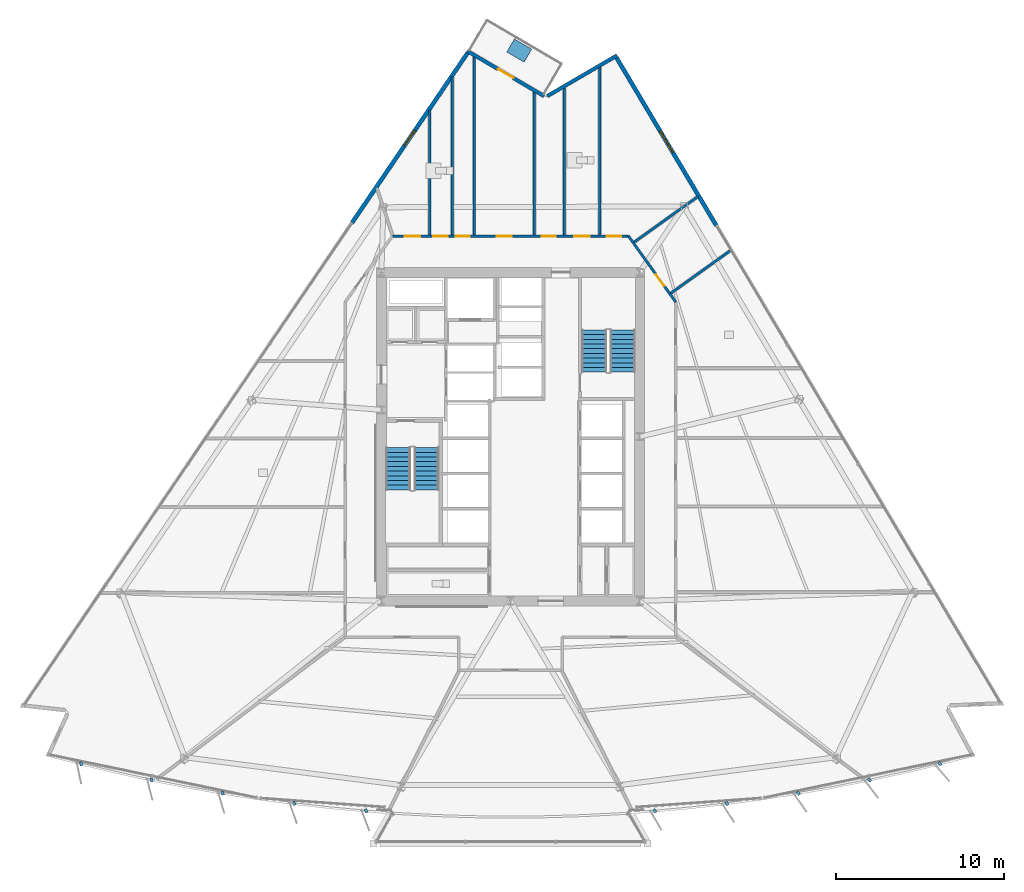
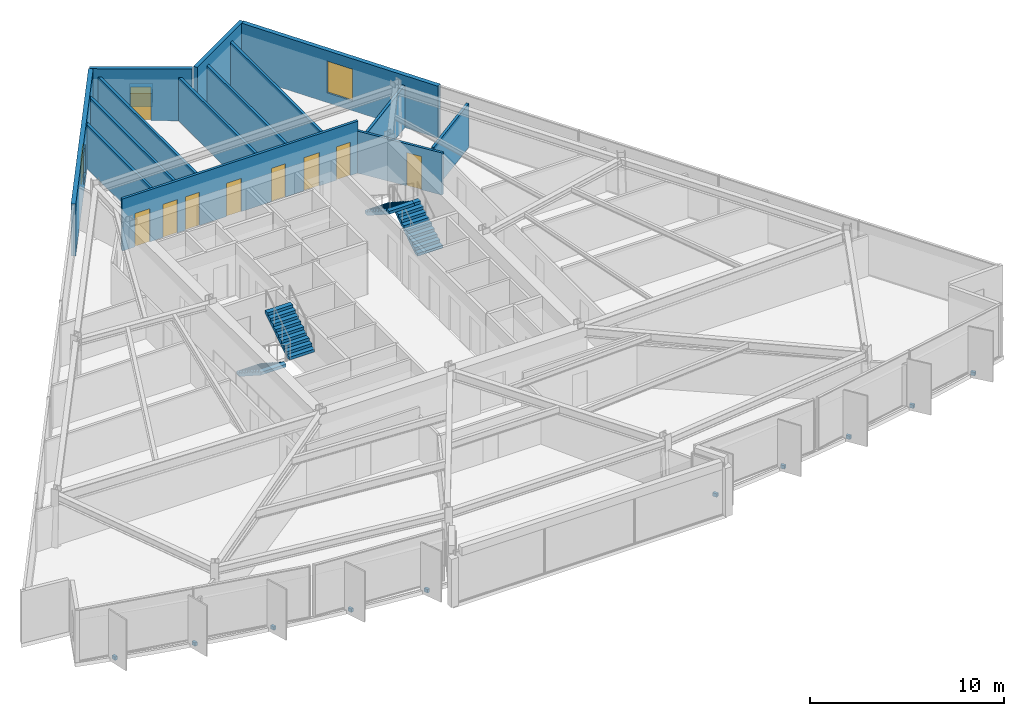
# One storey, part 11 of 16: 14 walls, 11 discrete accessories, 9 doors, 4 stair flights, 2 windows, 11 openings, 2 elements without a shape of their own.
"""IFC4 building model written with IfcOpenShell, lengths in metres."""

from ifc_helpers import new_model, si_unit, direction, frame, frame_2d, origin, origin_2d, place, context, subcontext, project, spatial, polyline, rectangle, outline, extrude, material, layer, layer_set, type_object, element, fill, aggregate, save


model = new_model("IFC4")

# Units and contexts
model_context = context("Model", 3, precision=1e-05, world=origin(), true_north=direction((0.0, 1.0)))
body_context = subcontext(model_context, "Body", "Model", "MODEL_VIEW")
ifc_project = project(units=[si_unit("LENGTHUNIT", "METRE"), si_unit("AREAUNIT", "SQUARE_METRE"), si_unit("VOLUMEUNIT", "CUBIC_METRE"), si_unit("PLANEANGLEUNIT", "RADIAN"), si_unit("MASSUNIT", "GRAM", prefix="KILO")], contexts=[model_context])

# Site, building, storey
site_placement = place(None, origin())
site = spatial("IfcSite", under=ifc_project, at=site_placement, CompositionType="ELEMENT")
building_placement = place(site_placement, origin())
building = spatial("IfcBuilding", under=site, at=building_placement, Name="Savorim Split Tower", CompositionType="ELEMENT")
storey_placement = place(building_placement, frame((0.0, 0.0, 69.60009765625)))
storey = spatial("IfcBuildingStorey", under=building, at=storey_placement, Name="L18", CompositionType="ELEMENT", Elevation=69.60009765625)

# Wall
ifc_material_1 = material(Name="Precast concrete C40/50", Category="concrete")
ifc_layer_1 = layer(ifc_material_1, 0.219970703125)
ifc_layer_set_1 = layer_set([ifc_layer_1], Name="WAL-EXT-CRN220")
wall_type_1 = type_object("IfcWallType", Name="WAL-EXT-CRN220", PredefinedType="SOLIDWALL", material=ifc_layer_set_1)
wall_1_placement = place(storey_placement, frame((2.193359375, 20.71337890625, 0.0), z_axis=(0.0, 0.0, 1.0), x_axis=(0.863964978951, 0.503551899159, 0.0)))
element("IfcWall", 1, at=wall_1_placement, inside=storey, type_object=wall_type_1, Name="L18 Notched Corner Facade Wall NE1", PredefinedType="SOLIDWALL", context=body_context, shape_type="SweptSolid", body=[
    extrude(rectangle(XDim=4.8046875, YDim=0.219970703125, at=frame_2d((2.40234375, 0.0))), origin(), (0.0, 0.0, 1.0), 3.27978515625),
])

# Wall, opening, door
wall_2_placement = place(storey_placement, frame((-2.572265625, 23.40283203125, 0.0), z_axis=(0.0, 0.0, 1.0), x_axis=(0.862137551275, -0.506674296449, 0.0)))
wall_2 = element("IfcWall", 2, at=wall_2_placement, inside=storey, type_object=wall_type_1, Name="L18 Notched Corner Facade Wall N", PredefinedType="SOLIDWALL", context=body_context, shape_type="SweptSolid", body=[
    extrude(rectangle(XDim=5.30712890625, YDim=0.219970703125, at=frame_2d((2.653564453125, 0.0))), origin(), (0.0, 0.0, 1.0), 3.27978515625),
])
opening_1_placement = place(wall_2_placement, frame((2.12841796875, 0.0, 0.0)))
opening_1 = element("IfcOpeningElement", 3, at=opening_1_placement, cuts=wall_2, Name="Opening DB-01", PredefinedType="OPENING", context=body_context, shape_type="SweptSolid", body=[
    extrude(rectangle(XDim=1.050048828125, YDim=2.14990234375, at=frame_2d((0.52490234375, 1.074951171875))), frame((0.0, 0.119873046875, 0.0), z_axis=(0.0, -1.0, 0.0), x_axis=(1.0, 0.0, 0.0)), (0.0, 0.0, 1.0), 0.239990234375),
])
ifc_material_2 = material(Name="Charcoal Anodised Aluminium", Category="aluminium")
door_type_1 = type_object("IfcDoorType", Name="DOR-BAL-1050", OperationType="NOTDEFINED", PredefinedType="DOOR", material=ifc_material_2)
door_1_placement = place(opening_1_placement, origin())
door_1 = element("IfcDoor", 4, at=door_1_placement, inside=storey, type_object=door_type_1, Name="DOR-L18-TBAL-N - L18 Planted Tree Balcony Door N", OperationType="SINGLE_SWING_LEFT", OverallHeight=2.14990234375, OverallWidth=1.050048828125, PredefinedType="DOOR", context=body_context, shape_type="SweptSolid", body=[
    extrude(rectangle(XDim=1.050048828125, YDim=2.14990234375, at=frame_2d((0.52490234375, 1.074951171875))), frame((0.0, 0.02490234375, 0.0), z_axis=(0.0, -1.0, 0.0), x_axis=(1.0, 0.0, 0.0)), (0.0, 0.0, 1.0), 0.050048828125),
])
fill(opening_1, door_1)

# Wall, opening, window
ifc_layer_2 = layer(ifc_material_1, 0.25)
ifc_layer_set_2 = layer_set([ifc_layer_2], Name="WAL-EXT-SPN250")
wall_type_2 = type_object("IfcWallType", Name="WAL-EXT-SPN250", PredefinedType="SOLIDWALL", material=ifc_layer_set_2)
wall_3_placement = place(storey_placement, frame((6.327880859375, 23.006103515625, 0.0), z_axis=(0.0, 0.0, 1.0), x_axis=(0.511075811474, -0.859535639125, 0.0)))
wall_3 = element("IfcWall", 5, at=wall_3_placement, inside=storey, type_object=wall_type_2, Name="L18 East Operable Window Pier", PredefinedType="SOLIDWALL", context=body_context, shape_type="SweptSolid", body=[
    extrude(rectangle(XDim=11.645751953125, YDim=0.25, at=frame_2d((5.82275390625, 0.0))), origin(), (0.0, 0.0, 1.0), 3.27978515625),
])
opening_2_placement = place(wall_3_placement, frame((5.072998046875, 0.0, 0.6201171875)))
opening_2 = element("IfcOpeningElement", 6, at=opening_2_placement, cuts=wall_3, Name="Opening WN-06", PredefinedType="OPENING", context=body_context, shape_type="SweptSolid", body=[
    extrude(rectangle(XDim=1.5, YDim=2.0, at=frame_2d((0.75, 1.0))), frame((0.0, 0.135009765625, 0.0), z_axis=(0.0, -1.0, 0.0), x_axis=(1.0, 0.0, 0.0)), (0.0, 0.0, 1.0), 0.27001953125),
])
ifc_material_3 = material(Name="Low-E Operable Double Glazing", Category="glass")
window_type_1 = type_object("IfcWindowType", Name="WIN-TWR-1500x2000", PartitioningType="SINGLE_PANEL", PredefinedType="WINDOW", material=ifc_material_3)
window_1_placement = place(opening_2_placement, origin())
window_1 = element("IfcWindow", 7, at=window_1_placement, inside=storey, type_object=window_type_1, Name="L18 East Operable Ventilation Window", OverallHeight=2.0, OverallWidth=1.5, PartitioningType="SINGLE_PANEL", PredefinedType="WINDOW", context=body_context, shape_type="SweptSolid", body=[
    extrude(rectangle(XDim=1.5, YDim=2.0, at=frame_2d((0.75, 1.0))), frame((0.0, 0.030029296875, 0.0), z_axis=(0.0, -1.0, 0.0), x_axis=(1.0, 0.0, 0.0)), (0.0, 0.0, 1.0), 0.06005859375),
])
fill(opening_2, window_1)

wall_4_placement = place(storey_placement, frame((-9.45068359375, 13.163330078125, 0.0), z_axis=(0.0, 0.0, 1.0), x_axis=(0.562478152622, 0.826812147844, 0.0)))
wall_4 = element("IfcWall", 8, at=wall_4_placement, inside=storey, type_object=wall_type_2, Name="L18 West Operable Window Pier", PredefinedType="SOLIDWALL", context=body_context, shape_type="SweptSolid", body=[
    extrude(rectangle(XDim=12.232177734375, YDim=0.25, at=frame_2d((6.1162109375, 0.0))), origin(), (0.0, 0.0, 1.0), 3.27978515625),
])
opening_3_placement = place(wall_4_placement, frame((5.566162109375, 0.0, 0.6201171875)))
opening_3 = element("IfcOpeningElement", 9, at=opening_3_placement, cuts=wall_4, Name="Opening WN-09", PredefinedType="OPENING", context=body_context, shape_type="SweptSolid", body=[
    extrude(rectangle(XDim=1.10009765625, YDim=1.800048828125, at=frame_2d((0.550048828125, 0.89990234375))), frame((0.0, 0.135009765625, 0.0), z_axis=(0.0, -1.0, 0.0), x_axis=(1.0, 0.0, 0.0)), (0.0, 0.0, 1.0), 0.27001953125),
])
window_type_2 = type_object("IfcWindowType", Name="WIN-TWR-1100x1800", PartitioningType="SINGLE_PANEL", PredefinedType="WINDOW", material=ifc_material_3)
window_2_placement = place(opening_3_placement, origin())
window_2 = element("IfcWindow", 10, at=window_2_placement, inside=storey, type_object=window_type_2, Name="L18 West Operable Ventilation Window", OverallHeight=1.800048828125, OverallWidth=1.10009765625, PartitioningType="SINGLE_PANEL", PredefinedType="WINDOW", context=body_context, shape_type="SweptSolid", body=[
    extrude(rectangle(XDim=1.10009765625, YDim=1.800048828125, at=frame_2d((0.550048828125, 0.89990234375))), frame((0.0, 0.030029296875, 0.0), z_axis=(0.0, -1.0, 0.0), x_axis=(1.0, 0.0, 0.0)), (0.0, 0.0, 1.0), 0.06005859375),
])
fill(opening_3, window_2)

# Wall, openings, doors
ifc_material_4 = material(Name="Acoustic Gypsum Partition Board")
ifc_layer_3 = layer(ifc_material_4, 0.14990234375)
ifc_layer_set_3 = layer_set([ifc_layer_3], Name="WAL-PAR-150")
wall_type_3 = type_object("IfcWallType", Name="WAL-PAR-150", PredefinedType="PARTITIONING", material=ifc_layer_set_3)
wall_5_placement = place(storey_placement, frame((-7.041015625, 12.360107421875, 0.0), z_axis=(0.0, 0.0, 1.0), x_axis=(1.0, 0.0, 0.0)))
wall_5 = element("IfcWall", 11, at=wall_5_placement, inside=storey, type_object=wall_type_3, Name="L18 Partition W-L18-COR-03", PredefinedType="PARTITIONING", context=body_context, shape_type="SweptSolid", body=[
    extrude(rectangle(XDim=14.08203125, YDim=0.14990234375, at=frame_2d((7.041015625, 0.0))), origin(), (0.0, 0.0, 1.0), 3.27978515625),
])
opening_4_placement = place(wall_5_placement, frame((12.783203125, 0.0, 0.0)))
opening_4 = element("IfcOpeningElement", 12, at=opening_4_placement, cuts=wall_5, Name="Opening DI-13", PredefinedType="OPENING", context=body_context, shape_type="SweptSolid", body=[
    extrude(rectangle(XDim=0.85009765625, YDim=2.10009765625, at=frame_2d((0.425048828125, 1.050048828125))), frame((0.0, 0.0849609375, 0.0), z_axis=(0.0, -1.0, 0.0), x_axis=(1.0, 0.0, 0.0)), (0.0, 0.0, 1.0), 0.169921875),
])
opening_5_placement = place(wall_5_placement, frame((10.857177734375, 0.0, 0.0)))
opening_5 = element("IfcOpeningElement", 13, at=opening_5_placement, cuts=wall_5, Name="Opening DI-11", PredefinedType="OPENING", context=body_context, shape_type="SweptSolid", body=[
    extrude(rectangle(XDim=0.89990234375, YDim=2.10009765625, at=frame_2d((0.449951171875, 1.050048828125))), frame((0.0, 0.0849609375, 0.0), z_axis=(0.0, -1.0, 0.0), x_axis=(1.0, 0.0, 0.0)), (0.0, 0.0, 1.0), 0.169921875),
])
opening_6_placement = place(wall_5_placement, frame((8.904296875, 0.0, 0.0)))
opening_6 = element("IfcOpeningElement", 14, at=opening_6_placement, cuts=wall_5, Name="Opening DI-13", PredefinedType="OPENING", context=body_context, shape_type="SweptSolid", body=[
    extrude(rectangle(XDim=0.85009765625, YDim=2.10009765625, at=frame_2d((0.425048828125, 1.050048828125))), frame((0.0, 0.0849609375, 0.0), z_axis=(0.0, -1.0, 0.0), x_axis=(1.0, 0.0, 0.0)), (0.0, 0.0, 1.0), 0.169921875),
])
opening_7_placement = place(wall_5_placement, frame((6.214599609375, 0.0, 0.0)))
opening_7 = element("IfcOpeningElement", 15, at=opening_7_placement, cuts=wall_5, Name="Opening DI-06", PredefinedType="OPENING", context=body_context, shape_type="SweptSolid", body=[
    extrude(rectangle(XDim=0.89990234375, YDim=2.10009765625, at=frame_2d((0.449951171875, 1.050048828125))), frame((0.0, 0.0849609375, 0.0), z_axis=(0.0, -1.0, 0.0), x_axis=(1.0, 0.0, 0.0)), (0.0, 0.0, 1.0), 0.169921875),
])
opening_8_placement = place(wall_5_placement, frame((3.768310546875, 0.0, 0.0)))
opening_8 = element("IfcOpeningElement", 16, at=opening_8_placement, cuts=wall_5, Name="Opening DI-13", PredefinedType="OPENING", context=body_context, shape_type="SweptSolid", body=[
    extrude(rectangle(XDim=0.85009765625, YDim=2.10009765625, at=frame_2d((0.425048828125, 1.050048828125))), frame((0.0, 0.0849609375, 0.0), z_axis=(0.0, -1.0, 0.0), x_axis=(1.0, 0.0, 0.0)), (0.0, 0.0, 1.0), 0.169921875),
])
opening_9_placement = place(wall_5_placement, frame((2.439453125, 0.0, 0.0)))
opening_9 = element("IfcOpeningElement", 17, at=opening_9_placement, cuts=wall_5, Name="Opening DI-13", PredefinedType="OPENING", context=body_context, shape_type="SweptSolid", body=[
    extrude(rectangle(XDim=0.85009765625, YDim=2.10009765625, at=frame_2d((0.425048828125, 1.050048828125))), frame((0.0, 0.0849609375, 0.0), z_axis=(0.0, -1.0, 0.0), x_axis=(1.0, 0.0, 0.0)), (0.0, 0.0, 1.0), 0.169921875),
])
opening_10_placement = place(wall_5_placement, frame((0.74658203125, 0.0, 0.0)))
opening_10 = element("IfcOpeningElement", 18, at=opening_10_placement, cuts=wall_5, Name="Opening DI-06", PredefinedType="OPENING", context=body_context, shape_type="SweptSolid", body=[
    extrude(rectangle(XDim=0.89990234375, YDim=2.10009765625, at=frame_2d((0.449951171875, 1.050048828125))), frame((0.0, 0.0849609375, 0.0), z_axis=(0.0, -1.0, 0.0), x_axis=(1.0, 0.0, 0.0)), (0.0, 0.0, 1.0), 0.169921875),
])
ifc_material_5 = material(Name="Timber Fire Door Leaf", Category="wood")
door_type_2 = type_object("IfcDoorType", Name="DOR-FIR-850", OperationType="NOTDEFINED", PredefinedType="DOOR", material=ifc_material_5)
door_2_placement = place(opening_4_placement, origin())
door_2 = element("IfcDoor", 19, at=door_2_placement, inside=storey, type_object=door_type_2, Name="DR-L18-RM13 - L18 Co-Living Bedroom Entry Door", OperationType="SINGLE_SWING_RIGHT", OverallHeight=2.10009765625, OverallWidth=0.85009765625, PredefinedType="DOOR", context=body_context, shape_type="SweptSolid", body=[
    extrude(rectangle(XDim=0.85009765625, YDim=2.10009765625, at=frame_2d((0.425048828125, 1.050048828125))), frame((0.0, 0.02490234375, 0.0), z_axis=(0.0, -1.0, 0.0), x_axis=(1.0, 0.0, 0.0)), (0.0, 0.0, 1.0), 0.050048828125),
])
fill(opening_4, door_2)
door_3_placement = place(opening_6_placement, origin())
door_3 = element("IfcDoor", 20, at=door_3_placement, inside=storey, type_object=door_type_2, Name="DR-L18-RM15 - L18 Quiet Study Room Entry Door", OperationType="SINGLE_SWING_RIGHT", OverallHeight=2.10009765625, OverallWidth=0.85009765625, PredefinedType="DOOR", context=body_context, shape_type="SweptSolid", body=[
    extrude(rectangle(XDim=0.85009765625, YDim=2.10009765625, at=frame_2d((0.425048828125, 1.050048828125))), frame((0.0, 0.02490234375, 0.0), z_axis=(0.0, -1.0, 0.0), x_axis=(1.0, 0.0, 0.0)), (0.0, 0.0, 1.0), 0.050048828125),
])
fill(opening_6, door_3)
door_4_placement = place(opening_8_placement, origin())
door_4 = element("IfcDoor", 21, at=door_4_placement, inside=storey, type_object=door_type_2, Name="DR-L18-RM17 - L18 Quiet Study Room Entry Door", OperationType="SINGLE_SWING_RIGHT", OverallHeight=2.10009765625, OverallWidth=0.85009765625, PredefinedType="DOOR", context=body_context, shape_type="SweptSolid", body=[
    extrude(rectangle(XDim=0.85009765625, YDim=2.10009765625, at=frame_2d((0.425048828125, 1.050048828125))), frame((0.0, 0.02490234375, 0.0), z_axis=(0.0, -1.0, 0.0), x_axis=(1.0, 0.0, 0.0)), (0.0, 0.0, 1.0), 0.050048828125),
])
fill(opening_8, door_4)
door_5_placement = place(opening_9_placement, origin())
door_5 = element("IfcDoor", 22, at=door_5_placement, inside=storey, type_object=door_type_2, Name="DR-L18-RM18 - L18 Shared Bathroom Entry Door", OperationType="SINGLE_SWING_LEFT", OverallHeight=2.10009765625, OverallWidth=0.85009765625, PredefinedType="DOOR", context=body_context, shape_type="SweptSolid", body=[
    extrude(rectangle(XDim=0.85009765625, YDim=2.10009765625, at=frame_2d((0.425048828125, 1.050048828125))), frame((0.0, 0.02490234375, 0.0), z_axis=(0.0, -1.0, 0.0), x_axis=(1.0, 0.0, 0.0)), (0.0, 0.0, 1.0), 0.050048828125),
])
fill(opening_9, door_5)
door_type_3 = type_object("IfcDoorType", Name="DOR-FIR-900", OperationType="NOTDEFINED", PredefinedType="DOOR", material=ifc_material_5)
door_6_placement = place(opening_7_placement, origin())
door_6 = element("IfcDoor", 23, at=door_6_placement, inside=storey, type_object=door_type_3, Name="DR-L18-RM16 - L18 Quiet Study Room Entry Door", OperationType="SINGLE_SWING_LEFT", OverallHeight=2.10009765625, OverallWidth=0.89990234375, PredefinedType="DOOR", context=body_context, shape_type="SweptSolid", body=[
    extrude(rectangle(XDim=0.89990234375, YDim=2.10009765625, at=frame_2d((0.449951171875, 1.050048828125))), frame((0.0, 0.02490234375, 0.0), z_axis=(0.0, -1.0, 0.0), x_axis=(1.0, 0.0, 0.0)), (0.0, 0.0, 1.0), 0.050048828125),
])
fill(opening_7, door_6)
door_7_placement = place(opening_10_placement, origin())
door_7 = element("IfcDoor", 24, at=door_7_placement, inside=storey, type_object=door_type_3, Name="DR-L18-RM19 - L18 Quiet Study Room Entry Door", OperationType="SINGLE_SWING_RIGHT", OverallHeight=2.10009765625, OverallWidth=0.89990234375, PredefinedType="DOOR", context=body_context, shape_type="SweptSolid", body=[
    extrude(rectangle(XDim=0.89990234375, YDim=2.10009765625, at=frame_2d((0.449951171875, 1.050048828125))), frame((0.0, 0.02490234375, 0.0), z_axis=(0.0, -1.0, 0.0), x_axis=(1.0, 0.0, 0.0)), (0.0, 0.0, 1.0), 0.050048828125),
])
fill(opening_10, door_7)
ifc_material_6 = material(Name="Oak Veneer Acoustic Door")
door_type_4 = type_object("IfcDoorType", Name="DOR-WC-900", OperationType="NOTDEFINED", PredefinedType="DOOR", material=ifc_material_6)
door_8_placement = place(opening_5_placement, origin())
door_8 = element("IfcDoor", 25, at=door_8_placement, inside=storey, type_object=door_type_4, Name="DR-L18-RM14 - L18 Shared Bathroom Entry Door", OperationType="SINGLE_SWING_LEFT", OverallHeight=2.10009765625, OverallWidth=0.89990234375, PredefinedType="DOOR", context=body_context, shape_type="SweptSolid", body=[
    extrude(rectangle(XDim=0.89990234375, YDim=2.10009765625, at=frame_2d((0.449951171875, 1.050048828125))), frame((0.0, 0.02490234375, 0.0), z_axis=(0.0, -1.0, 0.0), x_axis=(1.0, 0.0, 0.0)), (0.0, 0.0, 1.0), 0.050048828125),
])
fill(opening_5, door_8)

# Wall, opening, door
wall_6_placement = place(storey_placement, frame((7.041015625, 12.360107421875, 0.0), z_axis=(0.0, 0.0, 1.0), x_axis=(0.582449511476, -0.812866881218, 0.0)))
wall_6 = element("IfcWall", 26, at=wall_6_placement, inside=storey, type_object=wall_type_3, Name="L18 Partition W-L18-COR-04", PredefinedType="PARTITIONING", context=body_context, shape_type="SweptSolid", body=[
    extrude(rectangle(XDim=4.840087890625, YDim=0.14990234375, at=frame_2d((2.419921875, 0.0))), origin(), (0.0, 0.0, 1.0), 2.65478515625),
])
opening_11_placement = place(wall_6_placement, frame((2.81201171875, 0.0, 0.0)))
opening_11 = element("IfcOpeningElement", 27, at=opening_11_placement, cuts=wall_6, Name="Opening DI-13", PredefinedType="OPENING", context=body_context, shape_type="SweptSolid", body=[
    extrude(rectangle(XDim=0.85009765625, YDim=2.10009765625, at=frame_2d((0.425048828125, 1.050048828125))), frame((0.0, 0.0849609375, 0.0), z_axis=(0.0, -1.0, 0.0), x_axis=(1.0, 0.0, 0.0)), (0.0, 0.0, 1.0), 0.169921875),
])
door_9_placement = place(opening_11_placement, origin())
door_9 = element("IfcDoor", 28, at=door_9_placement, inside=storey, type_object=door_type_2, Name="DR-L18-RM12 - L18 Quiet Study Room Entry Door", OperationType="SINGLE_SWING_LEFT", OverallHeight=2.10009765625, OverallWidth=0.85009765625, PredefinedType="DOOR", context=body_context, shape_type="SweptSolid", body=[
    extrude(rectangle(XDim=0.85009765625, YDim=2.10009765625, at=frame_2d((0.425048828125, 1.050048828125))), frame((0.0, 0.02490234375, 0.0), z_axis=(0.0, -1.0, 0.0), x_axis=(1.0, 0.0, 0.0)), (0.0, 0.0, 1.0), 0.050048828125),
])
fill(opening_11, door_9)

# Walls
wall_7_placement = place(storey_placement, frame((7.3740234375, 11.998291015625, 0.0), z_axis=(0.0, 0.0, 1.0), x_axis=(0.812868021212, 0.582447920497, 0.0)))
element("IfcWall", 29, at=wall_7_placement, inside=storey, type_object=wall_type_3, Name="L18 Partition W-L18-PRAD07", PredefinedType="PARTITIONING", context=body_context, shape_type="SweptSolid", body=[
    extrude(rectangle(XDim=4.69384765625, YDim=0.14990234375, at=frame_2d((2.346923828125, 0.0))), origin(), (0.0, 0.0, 1.0), 2.65478515625),
])
wall_8_placement = place(storey_placement, frame((1.415283203125, 12.419921875, 0.0), z_axis=(0.0, 0.0, 1.0), x_axis=(0.0, 1.0, 0.0)))
element("IfcWall", 30, at=wall_8_placement, inside=storey, type_object=wall_type_3, Name="L18 Partition W-L18-SUB01", PredefinedType="PARTITIONING", context=body_context, shape_type="SweptSolid", body=[
    extrude(rectangle(XDim=8.581298828125, YDim=0.14990234375, at=frame_2d((4.29052734375, 0.0))), origin(), (0.0, 0.0, 1.0), 2.764892578125),
])
wall_9_placement = place(storey_placement, frame((5.3212890625, 12.419921875, 0.0), z_axis=(0.0, 0.0, 1.0), x_axis=(0.0, 1.0, 0.0)))
element("IfcWall", 31, at=wall_9_placement, inside=storey, type_object=wall_type_3, Name="L18 Partition W-L18-SUB04", PredefinedType="PARTITIONING", context=body_context, shape_type="SweptSolid", body=[
    extrude(rectangle(XDim=10.05859375, YDim=0.14990234375, at=frame_2d((5.029296875, 0.0))), origin(), (0.0, 0.0, 1.0), 2.764892578125),
])
wall_10_placement = place(storey_placement, frame((-3.477294921875, 12.419921875, 0.0), z_axis=(0.0, 0.0, 1.0), x_axis=(0.0, 1.0, 0.0)))
element("IfcWall", 32, at=wall_10_placement, inside=storey, type_object=wall_type_3, Name="L18 Partition W-L18-SUB05", PredefinedType="PARTITIONING", context=body_context, shape_type="SweptSolid", body=[
    extrude(rectangle(XDim=9.435302734375, YDim=0.14990234375, at=frame_2d((4.7177734375, 0.0))), origin(), (0.0, 0.0, 1.0), 2.764892578125),
])
wall_11_placement = place(storey_placement, frame((3.210693359375, 12.419921875, 0.0), z_axis=(0.0, 0.0, 1.0), x_axis=(0.0, 1.0, 0.0)))
element("IfcWall", 33, at=wall_11_placement, inside=storey, type_object=wall_type_3, Name="L18 Partition W-L18-SUB09", PredefinedType="PARTITIONING", context=body_context, shape_type="SweptSolid", body=[
    extrude(rectangle(XDim=8.82861328125, YDim=0.14990234375, at=frame_2d((4.414306640625, 0.0))), origin(), (0.0, 0.0, 1.0), 2.764892578125),
])
wall_12_placement = place(storey_placement, frame((-2.16845703125, 12.419921875, 0.0), z_axis=(0.0, 0.0, 1.0), x_axis=(0.0, 1.0, 0.0)))
element("IfcWall", 34, at=wall_12_placement, inside=storey, type_object=wall_type_3, Name="L18 Partition W-L18-SUB10", PredefinedType="PARTITIONING", context=body_context, shape_type="SweptSolid", body=[
    extrude(rectangle(XDim=10.687744140625, YDim=0.14990234375, at=frame_2d((5.34375, 0.0))), origin(), (0.0, 0.0, 1.0), 2.764892578125),
])
wall_13_placement = place(storey_placement, frame((-4.826171875, 12.419921875, 0.0), z_axis=(0.0, 0.0, 1.0), x_axis=(0.0, 1.0, 0.0)))
element("IfcWall", 35, at=wall_13_placement, inside=storey, type_object=wall_type_3, Name="L18 Partition W-L18-SUB11", PredefinedType="PARTITIONING", context=body_context, shape_type="SweptSolid", body=[
    extrude(rectangle(XDim=7.452392578125, YDim=0.14990234375, at=frame_2d((3.72607421875, 0.0))), origin(), (0.0, 0.0, 1.0), 2.764892578125),
])
wall_14_placement = place(storey_placement, frame((9.55712890625, 8.951416015625, 0.0), z_axis=(0.0, 0.0, 1.0), x_axis=(0.812899056557, 0.582404604935, 0.0)))
element("IfcWall", 36, at=wall_14_placement, inside=storey, type_object=wall_type_3, Name="L18 Partition W-L18-SUB13", PredefinedType="PARTITIONING", context=body_context, shape_type="SweptSolid", body=[
    extrude(rectangle(XDim=4.37353515625, YDim=0.14990234375, at=frame_2d((2.186767578125, 0.0))), origin(), (0.0, 0.0, 1.0), 2.764892578125),
])

# Stair, stair flights
ifc_material_7 = material(Name="Concrete C50/60", Category="concrete")
stair_type = type_object("IfcStairType", Name="STR-DOG-3600", PredefinedType="HALF_TURN_STAIR", material=ifc_material_7)
stair_1_placement = place(storey_placement, origin())
stair_1 = element("IfcStair", 37, at=stair_1_placement, inside=storey, type_object=stair_type, Name="L18 Core Protected Exit Stair ST-1", PredefinedType="HALF_TURN_STAIR")
stair_flight_type = type_object("IfcStairFlightType", Name="SFL-DOG-3600", PredefinedType="STRAIGHT", material=ifc_material_7)
stair_flight_1_placement = place(storey_placement, frame((-6.699951171875, -0.25, 0.0), z_axis=(0.0, 0.0, 1.0), x_axis=(0.0, -1.0, 0.0)))
stair_flight_1 = element("IfcStairFlight", 38, at=stair_flight_1_placement, type_object=stair_flight_type, Name="ST-1 flight 1", NumberOfRisers=10, NumberOfTreads=9, PredefinedType="STRAIGHT", RiserHeight=0.18, TreadLength=0.28, context=body_context, shape_type="SweptSolid", body=[
    extrude(outline(polyline([(0.0, 0.0), (0.0, 0.179931640625), (0.280029296875, 0.179931640625), (0.280029296875, 0.360107421875), (0.56005859375, 0.360107421875), (0.56005859375, 0.5400390625), (0.840087890625, 0.5400390625), (0.840087890625, 0.719970703125), (1.1201171875, 0.719970703125), (1.1201171875, 0.89990234375), (1.39990234375, 0.89990234375), (1.39990234375, 1.080078125), (1.679931640625, 1.080078125), (1.679931640625, 1.260009765625), (1.9599609375, 1.260009765625), (1.9599609375, 1.43994140625), (2.239990234375, 1.43994140625), (2.239990234375, 1.6201171875), (2.52001953125, 1.6201171875), (2.52001953125, 1.800048828125), (2.52001953125, 1.44189453125), (0.277099609375, 0.0), (0.0, 0.0)])), frame((0.0, 0.75, 0.0), z_axis=(0.0, -1.0, 0.0), x_axis=(1.0, 0.0, 0.0)), (0.0, 0.0, 1.0), 1.5),
])
stair_flight_2_placement = place(storey_placement, frame((-5.0, -2.77001953125, 1.7998046875), z_axis=(0.0, 0.0, 1.0), x_axis=(0.0, 1.0, 0.0)))
stair_flight_2 = element("IfcStairFlight", 39, at=stair_flight_2_placement, type_object=stair_flight_type, Name="ST-1 flight 2", NumberOfRisers=10, NumberOfTreads=9, PredefinedType="STRAIGHT", RiserHeight=0.18, TreadLength=0.28, context=body_context, shape_type="SweptSolid", body=[
    extrude(outline(polyline([(0.0, 0.0), (0.0, 0.179931640625), (0.280029296875, 0.179931640625), (0.280029296875, 0.360107421875), (0.56005859375, 0.360107421875), (0.56005859375, 0.5400390625), (0.840087890625, 0.5400390625), (0.840087890625, 0.719970703125), (1.1201171875, 0.719970703125), (1.1201171875, 0.89990234375), (1.39990234375, 0.89990234375), (1.39990234375, 1.080078125), (1.679931640625, 1.080078125), (1.679931640625, 1.260009765625), (1.9599609375, 1.260009765625), (1.9599609375, 1.43994140625), (2.239990234375, 1.43994140625), (2.239990234375, 1.6201171875), (2.52001953125, 1.6201171875), (2.52001953125, 1.800048828125), (2.52001953125, 1.44189453125), (0.277099609375, 0.0), (0.0, 0.0)])), frame((0.0, 0.75, 0.0), z_axis=(0.0, -1.0, 0.0), x_axis=(1.0, 0.0, 0.0)), (0.0, 0.0, 1.0), 1.5),
])
aggregate(stair_1, [stair_flight_1, stair_flight_2])

stair_2_placement = place(storey_placement, origin())
stair_2 = element("IfcStair", 40, at=stair_2_placement, inside=storey, type_object=stair_type, Name="L18 Core Protected Exit Stair ST-2", PredefinedType="HALF_TURN_STAIR")
stair_flight_3_placement = place(storey_placement, frame((6.699951171875, 4.25, 0.0), z_axis=(0.0, 0.0, 1.0), x_axis=(0.0, 1.0, 0.0)))
stair_flight_3 = element("IfcStairFlight", 41, at=stair_flight_3_placement, type_object=stair_flight_type, Name="ST-2 flight 1", NumberOfRisers=10, NumberOfTreads=9, PredefinedType="STRAIGHT", RiserHeight=0.18, TreadLength=0.28, context=body_context, shape_type="SweptSolid", body=[
    extrude(outline(polyline([(0.0, 0.0), (0.0, 0.179931640625), (0.280029296875, 0.179931640625), (0.280029296875, 0.360107421875), (0.56005859375, 0.360107421875), (0.56005859375, 0.5400390625), (0.840087890625, 0.5400390625), (0.840087890625, 0.719970703125), (1.1201171875, 0.719970703125), (1.1201171875, 0.89990234375), (1.39990234375, 0.89990234375), (1.39990234375, 1.080078125), (1.679931640625, 1.080078125), (1.679931640625, 1.260009765625), (1.9599609375, 1.260009765625), (1.9599609375, 1.43994140625), (2.239990234375, 1.43994140625), (2.239990234375, 1.6201171875), (2.52001953125, 1.6201171875), (2.52001953125, 1.800048828125), (2.52001953125, 1.44189453125), (0.277099609375, 0.0), (0.0, 0.0)])), frame((0.0, 0.75, 0.0), z_axis=(0.0, -1.0, 0.0), x_axis=(1.0, 0.0, 0.0)), (0.0, 0.0, 1.0), 1.5),
])
stair_flight_4_placement = place(storey_placement, frame((5.0, 6.77001953125, 1.7998046875), z_axis=(0.0, 0.0, 1.0), x_axis=(0.0, -1.0, 0.0)))
stair_flight_4 = element("IfcStairFlight", 42, at=stair_flight_4_placement, type_object=stair_flight_type, Name="ST-2 flight 2", NumberOfRisers=10, NumberOfTreads=9, PredefinedType="STRAIGHT", RiserHeight=0.18, TreadLength=0.28, context=body_context, shape_type="SweptSolid", body=[
    extrude(outline(polyline([(0.0, 0.0), (0.0, 0.179931640625), (0.280029296875, 0.179931640625), (0.280029296875, 0.360107421875), (0.56005859375, 0.360107421875), (0.56005859375, 0.5400390625), (0.840087890625, 0.5400390625), (0.840087890625, 0.719970703125), (1.1201171875, 0.719970703125), (1.1201171875, 0.89990234375), (1.39990234375, 0.89990234375), (1.39990234375, 1.080078125), (1.679931640625, 1.080078125), (1.679931640625, 1.260009765625), (1.9599609375, 1.260009765625), (1.9599609375, 1.43994140625), (2.239990234375, 1.43994140625), (2.239990234375, 1.6201171875), (2.52001953125, 1.6201171875), (2.52001953125, 1.800048828125), (2.52001953125, 1.44189453125), (0.277099609375, 0.0), (0.0, 0.0)])), frame((0.0, 0.75, 0.0), z_axis=(0.0, -1.0, 0.0), x_axis=(1.0, 0.0, 0.0)), (0.0, 0.0, 1.0), 1.5),
])
aggregate(stair_2, [stair_flight_3, stair_flight_4])

# Discrete accessories
ifc_material_8 = material(Name="Steel S355", Category="steel")
discrete_accessory_type_1 = type_object("IfcDiscreteAccessoryType", Name="ACC-BRK-FIN", PredefinedType="BRACKET", material=ifc_material_8)
for number, where, z_axis, x_axis, name in (
    (43, (-25.611572265625, -19.10986328125, -0.18994140625), (0.0, 0.0, 1.0), (0.206721626106, -0.978399800337, 0.0), "L18 Fin Slab-Edge Cleat Bracket 01"),
    (44, (-21.408935546875, -20.072265625, -0.18994140625), (0.0, 0.0, 1.0), (0.246581250663, -0.969122121727, 0.0), "L18 Fin Slab-Edge Cleat Bracket 02"),
    (45, (-17.17041015625, -20.86181640625, -0.18994140625), (0.0, 0.0, 1.0), (0.286026212504, -0.958221793616, 0.0), "L18 Fin Slab-Edge Cleat Bracket 03"),
    (46, (-12.903076171875, -21.477294921875, -0.18994140625), (0.0, 0.0, 1.0), (0.324993810493, -0.945716143005, 0.0), "L18 Fin Slab-Edge Cleat Bracket 04"),
    (47, (-8.614013671875, -21.917724609375, -0.18994140625), (0.0, 0.0, 1.0), (0.363415461732, -0.931627179817, 0.0), "L18 Fin Slab-Edge Cleat Bracket 05"),
    (48, (8.614013671875, -21.917724609375, -0.18994140625), (0.0, 0.0, 1.0), (0.510391336723, -0.859942255851, 0.0), "L18 Fin Slab-Edge Cleat Bracket 09"),
    (49, (12.903076171875, -21.477294921875, -0.18994140625), (0.0, 0.0, 1.0), (0.545148321708, -0.838339613366, 0.0), "L18 Fin Slab-Edge Cleat Bracket 10"),
    (50, (17.17041015625, -20.86181640625, -0.18994140625), (0.0, 0.0, 1.0), (0.578993757737, -0.815331974414, 0.0), "L18 Fin Slab-Edge Cleat Bracket 11"),
    (51, (21.408935546875, -20.072265625, -0.18994140625), (0.0, 0.0, 1.0), (0.611868076908, -0.790959832394, 0.0), "L18 Fin Slab-Edge Cleat Bracket 12"),
    (52, (25.611572265625, -19.10986328125, -0.18994140625), (0.0, 0.0, 1.0), (0.643719022682, -0.765261928909, 0.0), "L18 Fin Slab-Edge Cleat Bracket 13"),
):
    element("IfcDiscreteAccessory", number, at=place(storey_placement, frame(where, z_axis=z_axis, x_axis=x_axis)), inside=storey, type_object=discrete_accessory_type_1, Name=name, PredefinedType="BRACKET", context=body_context, shape_type="SweptSolid", body=[
        extrude(rectangle(XDim=0.239990234375, YDim=0.159912109375, at=origin_2d()), origin(), (0.0, 0.0, 1.0), 0.219970703125),
    ])
ifc_material_9 = material(Name="Architectural Precast Planter Concrete C40/50", Category="concrete")
discrete_accessory_type_2 = type_object("IfcDiscreteAccessoryType", Name="ACC-PLN-TREE", PredefinedType="USERDEFINED", material=ifc_material_9)
discrete_accessory_placement = place(storey_placement, frame((0.52099609375, 23.42919921875, -0.000244140625), z_axis=(0.0, 0.0, 1.0), x_axis=(-0.86212392453, 0.506697482481, 0.0)))
element("IfcDiscreteAccessory", 53, at=discrete_accessory_placement, inside=storey, type_object=discrete_accessory_type_2, Name="L18 Balcony Precast Tree Planter N", ObjectType="PLANTER", PredefinedType="USERDEFINED", context=body_context, shape_type="SweptSolid", body=[
    extrude(rectangle(XDim=1.199951171875, YDim=0.89990234375, at=origin_2d()), origin(), (0.0, 0.0, 1.0), 0.85009765625),
])

save(model, "model.ifc")
